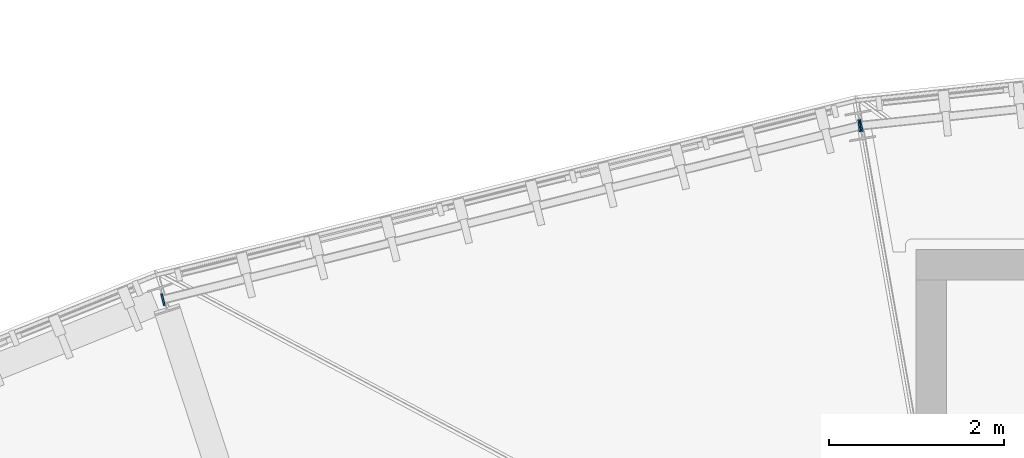
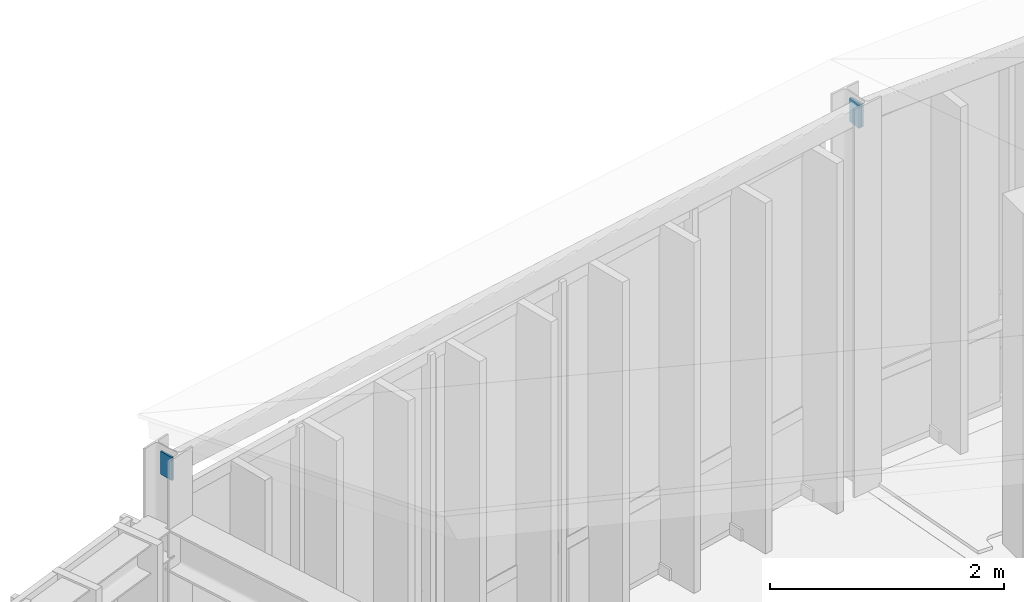
# One storey, part 27 of 42: 3 plates.
"""IFC4 building model written with IfcOpenShell, lengths in metres."""

from ifc_helpers import new_model, si_unit, direction, frame, origin, origin_2d, place, context, subcontext, project, spatial, rectangle, extrude, material, layer, layer_set, type_object, element, save


model = new_model("IFC4")

# Units and contexts
model_context = context("Model", 3, precision=1e-05, world=origin(), true_north=direction((0.0, 1.0)))
body_context = subcontext(model_context, "Body", "Model", "MODEL_VIEW")
ifc_project = project(units=[si_unit("LENGTHUNIT", "METRE"), si_unit("AREAUNIT", "SQUARE_METRE"), si_unit("VOLUMEUNIT", "CUBIC_METRE"), si_unit("PLANEANGLEUNIT", "RADIAN"), si_unit("MASSUNIT", "GRAM", prefix="KILO"), si_unit("THERMODYNAMICTEMPERATUREUNIT", "KELVIN"), si_unit("POWERUNIT", "WATT")], contexts=[model_context])

# Site, building, storey
site_placement = place(None, origin())
site = spatial("IfcSite", under=ifc_project, at=site_placement, CompositionType="ELEMENT")
building_placement = place(site_placement, origin())
building = spatial("IfcBuilding", under=site, at=building_placement, Name="Solvatero Civic Police Headquarters", CompositionType="ELEMENT")
storey_placement = place(building_placement, frame((0.0, 0.0, 21.60009765625)))
storey = spatial("IfcBuildingStorey", under=building, at=storey_placement, Name="L05", CompositionType="ELEMENT", Elevation=21.60009765625)

# Plates
ifc_material = material(Name="Steel S355", Category="steel")
ifc_layer = layer(ifc_material, 0.02001953125)
ifc_layer_set = layer_set([ifc_layer], Name="Steel S355")
plate_type = type_object("IfcPlateType", Name="PLT-CAP-20", PredefinedType="SHEET", material=ifc_layer_set)
for number, where, z_axis, x_axis, name in (
    (1, (83.8056640625, 83.758056640625, 3.75), (0.0, 0.0, 1.0), (-0.994521895368, -0.104528463268, 0.0), "Hollow Section End Cap Plate 0190"),
    (2, (83.8251953125, 83.761474609375, 3.75), (0.0, 0.0, 1.0), (-0.970295726276, -0.2419218956, 0.0), "Hollow Section End Cap Plate 0193"),
    (3, (75.866455078125, 81.777099609375, 4.0498046875), (0.0, 0.0, 1.0), (-0.970295726276, -0.2419218956, 0.0), "Hollow Section End Cap Plate 0194"),
):
    element("IfcPlate", number, at=place(storey_placement, frame(where, z_axis=z_axis, x_axis=x_axis)), inside=storey, type_object=plate_type, Name=name, PredefinedType="SHEET", context=body_context, shape_type="SweptSolid", body=[
        extrude(rectangle(XDim=0.02001953125, YDim=0.139892578125, at=origin_2d()), origin(), (0.0, 0.0, 1.0), 0.239990234375),
    ])

save(model, "model.ifc")
